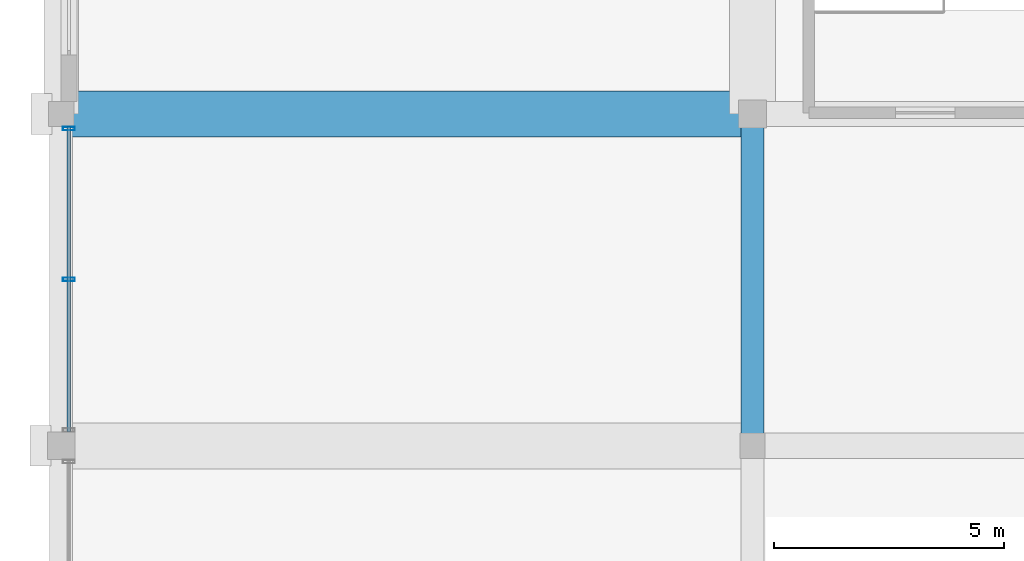
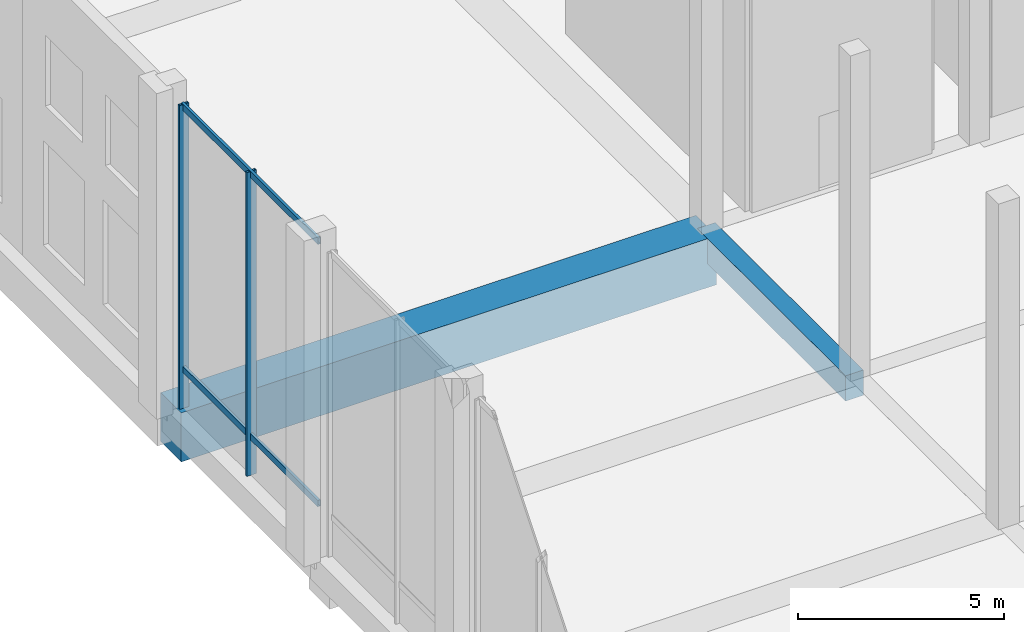
# One storey, part 35 of 80: 4 members, 2 beams, 1 element without a shape of its own.
"""IFC4 building model written with IfcOpenShell, lengths in metres."""

from ifc_helpers import new_model, si_unit, direction, frame, origin, origin_2d, place, context, subcontext, project, spatial, rectangle, hollow_rectangle, extrude, material, material_profile, profile_set, type_object, element, aggregate, save


model = new_model("IFC4")

# Units and contexts
model_context = context("Model", 3, precision=1e-05, world=origin(), true_north=direction((0.0, 1.0)))
body_context = subcontext(model_context, "Body", "Model", "MODEL_VIEW")
ifc_project = project(units=[si_unit("LENGTHUNIT", "METRE"), si_unit("AREAUNIT", "SQUARE_METRE"), si_unit("VOLUMEUNIT", "CUBIC_METRE"), si_unit("PLANEANGLEUNIT", "RADIAN"), si_unit("MASSUNIT", "GRAM", prefix="KILO")], contexts=[model_context])

# Site, building, storey
site_placement = place(None, origin())
site = spatial("IfcSite", under=ifc_project, at=site_placement, CompositionType="ELEMENT")
building_placement = place(site_placement, origin())
building = spatial("IfcBuilding", under=site, at=building_placement, Name="Akrevak Sports Hall", CompositionType="ELEMENT")
storey_placement = place(building_placement, frame((0.0, 0.0, 14.0)))
storey = spatial("IfcBuildingStorey", under=building, at=storey_placement, Name="L03", CompositionType="ELEMENT", Elevation=14.0)

# Curtain wall, members
ifc_material_1 = material(Name="Anodized Bronze Aluminium & Low-E Glass", Category="aluminium")
curtain_wall_type = type_object("IfcCurtainWallType", Name="ARC-CW-POD-64x94", PredefinedType="NOTDEFINED", material=ifc_material_1)
curtain_wall_placement = place(storey_placement, origin())
curtain_wall = element("IfcCurtainWall", 1, at=curtain_wall_placement, inside=storey, type_object=curtain_wall_type, Name="Curtain Wall CW-L03-W08", PredefinedType="NOTDEFINED")
ifc_material_2 = material(Name="Anodized Bronze Aluminium", Category="aluminium")
ifc_material_profile_1 = material_profile(ifc_material_2, hollow_rectangle(XDim=0.074951171875, YDim=0.260009765625, WallThickness=0.0048828125, at=origin_2d()), Name="CWM 75x260", Category="aluminium")
ifc_profile_set_1 = profile_set([ifc_material_profile_1], Name="Anodized Bronze Aluminium")
member_type_1 = type_object("IfcMemberType", Name="ARC-CWM-80x180", PredefinedType="MULLION", material=ifc_profile_set_1)
member_1_placement = place(storey_placement, frame((0.169921875, 69.284912109375, 0.0), z_axis=(0.0, 0.0, 1.0), x_axis=(0.0, -1.0, 0.0)))
member_1 = element("IfcMember", 2, at=member_1_placement, type_object=member_type_1, Name="Curtain Wall Mullion CW-L03-W08-M1", PredefinedType="MULLION", context=body_context, shape_type="SweptSolid", body=[
    extrude(hollow_rectangle(XDim=0.074951171875, YDim=0.260009765625, WallThickness=0.0048828125, at=origin_2d()), origin(), (0.0, 0.0, 1.0), 9.0),
])
member_2_placement = place(storey_placement, frame((0.169921875, 66.012451171875, 0.0), z_axis=(0.0, 0.0, 1.0), x_axis=(0.0, -1.0, 0.0)))
member_2 = element("IfcMember", 3, at=member_2_placement, type_object=member_type_1, Name="Curtain Wall Mullion CW-L03-W08-M2", PredefinedType="MULLION", context=body_context, shape_type="SweptSolid", body=[
    extrude(hollow_rectangle(XDim=0.074951171875, YDim=0.260009765625, WallThickness=0.0048828125, at=origin_2d()), origin(), (0.0, 0.0, 1.0), 9.0),
])
ifc_material_profile_2 = material_profile(ifc_material_2, hollow_rectangle(XDim=0.074951171875, YDim=0.18994140625, WallThickness=0.00439453125, at=origin_2d()), Name="CWT 75x190", Category="aluminium")
ifc_profile_set_2 = profile_set([ifc_material_profile_2], Name="Anodized Bronze Aluminium")
member_type_2 = type_object("IfcMemberType", Name="ARC-CWT-80x150", PredefinedType="USERDEFINED", material=ifc_profile_set_2)
member_3_placement = place(storey_placement, frame((0.169921875, 69.324951171875, 1.14990234375), z_axis=(0.0, -1.0, 0.0), x_axis=(1.0, 0.0, 0.0)))
member_3 = element("IfcMember", 4, at=member_3_placement, type_object=member_type_2, Name="Curtain Wall Transom CW-L03-W08-T1", ObjectType="TRANSOM", PredefinedType="USERDEFINED", context=body_context, shape_type="SweptSolid", body=[
    extrude(hollow_rectangle(XDim=0.074951171875, YDim=0.18994140625, WallThickness=0.00439453125, at=origin_2d()), origin(), (0.0, 0.0, 1.0), 6.625),
])
member_4_placement = place(storey_placement, frame((0.169921875, 69.324951171875, 8.919921875), z_axis=(0.0, -1.0, 0.0), x_axis=(1.0, 0.0, 0.0)))
member_4 = element("IfcMember", 5, at=member_4_placement, type_object=member_type_2, Name="Curtain Wall Transom CW-L03-W08-T2", ObjectType="TRANSOM", PredefinedType="USERDEFINED", context=body_context, shape_type="SweptSolid", body=[
    extrude(hollow_rectangle(XDim=0.074951171875, YDim=0.18994140625, WallThickness=0.00439453125, at=origin_2d()), origin(), (0.0, 0.0, 1.0), 6.625),
])
aggregate(curtain_wall, [member_1, member_2, member_3, member_4])

# Beams
ifc_material_3 = material(Name="Concrete C50/60", Category="concrete")
ifc_material_profile_3 = material_profile(ifc_material_3, rectangle(XDim=1.0, YDim=1.449951171875, at=origin_2d()), Name="BM 1000x1450", Category="concrete")
ifc_profile_set_3 = profile_set([ifc_material_profile_3], Name="Concrete C50/60")
beam_type_1 = type_object("IfcBeamType", Name="STR-BM-LG1000x1450", PredefinedType="BEAM", material=ifc_profile_set_3)
beam_1_placement = place(storey_placement, frame((0.0, 69.60009765625, -0.72509765625), z_axis=(1.0, 0.0, 0.0), x_axis=(0.0, 1.0, 0.0)))
element("IfcBeam", 6, at=beam_1_placement, inside=storey, type_object=beam_type_1, Name="Girder K/1-3 (L03)", PredefinedType="BEAM", context=body_context, shape_type="SweptSolid", body=[
    extrude(rectangle(XDim=1.0, YDim=1.449951171875, at=origin_2d()), origin(), (0.0, 0.0, 1.0), 15.0),
])
ifc_material_4 = material(Name="Concrete C40/50", Category="concrete")
ifc_material_profile_4 = material_profile(ifc_material_4, rectangle(XDim=0.5, YDim=0.75, at=origin_2d()), Name="BM 500x750", Category="concrete")
ifc_profile_set_4 = profile_set([ifc_material_profile_4], Name="Concrete C40/50")
beam_type_2 = type_object("IfcBeamType", Name="STR-BM-RC500x750", PredefinedType="BEAM", material=ifc_profile_set_4)
beam_2_placement = place(storey_placement, frame((15.0, 62.39990234375, -0.375), z_axis=(0.0, 1.0, 0.0), x_axis=(-1.0, 0.0, 0.0)))
element("IfcBeam", 7, at=beam_2_placement, inside=storey, type_object=beam_type_2, Name="Girder 3/J-K (L03)", PredefinedType="BEAM", context=body_context, shape_type="SweptSolid", body=[
    extrude(rectangle(XDim=0.5, YDim=0.75, at=origin_2d()), origin(), (0.0, 0.0, 1.0), 7.2001953125),
])

save(model, "model.ifc")
